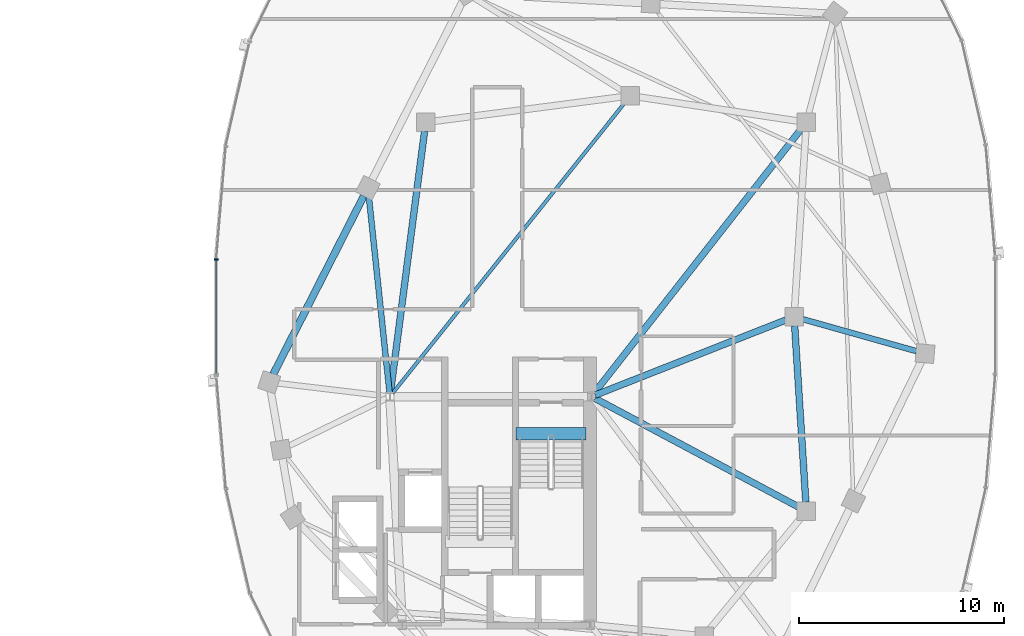
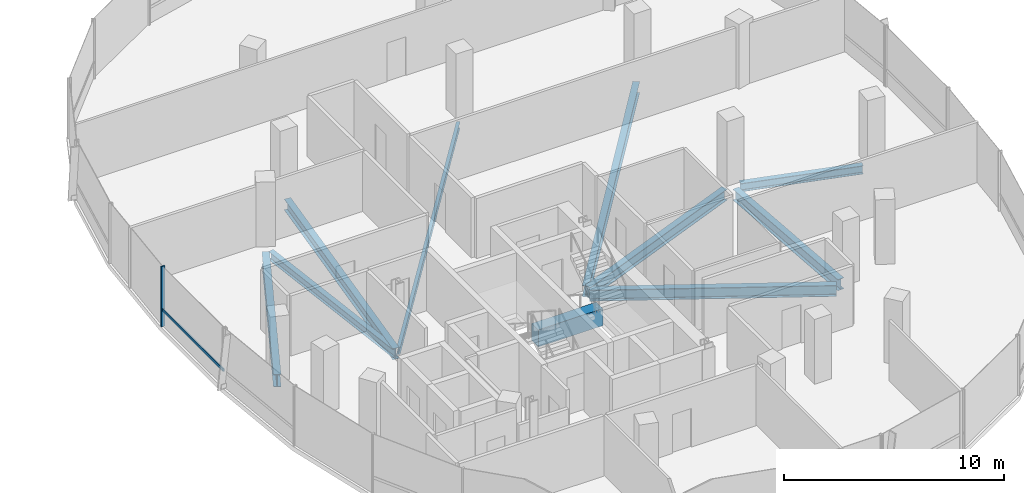
# One storey, part 9 of 25: 10 beams, 2 members, 1 element without a shape of its own.
"""IFC4 building model written with IfcOpenShell, lengths in metres."""

from ifc_helpers import new_model, si_unit, direction, frame, origin, origin_2d, place, context, subcontext, project, spatial, rectangle, i_section, extrude, material, material_profile, profile_set, type_object, element, aggregate, save


model = new_model("IFC4")

# Units and contexts
model_context = context("Model", 3, precision=1e-05, world=origin(), true_north=direction((0.0, 1.0)))
body_context = subcontext(model_context, "Body", "Model", "MODEL_VIEW")
ifc_project = project(units=[si_unit("LENGTHUNIT", "METRE"), si_unit("AREAUNIT", "SQUARE_METRE"), si_unit("VOLUMEUNIT", "CUBIC_METRE"), si_unit("PLANEANGLEUNIT", "RADIAN"), si_unit("MASSUNIT", "GRAM", prefix="KILO"), si_unit("THERMODYNAMICTEMPERATUREUNIT", "KELVIN"), si_unit("POWERUNIT", "WATT")], contexts=[model_context])

# Site, building, storey
site_placement = place(None, origin())
site = spatial("IfcSite", under=ifc_project, at=site_placement, CompositionType="ELEMENT")
building_placement = place(site_placement, origin())
building = spatial("IfcBuilding", under=site, at=building_placement, Name="Cundina Bronze Exchange", CompositionType="ELEMENT")
storey_placement = place(building_placement, frame((0.0, 0.0, 224.199951171875)))
storey = spatial("IfcBuildingStorey", under=building, at=storey_placement, Name="L59", CompositionType="ELEMENT", Elevation=224.199951171875)

# Beams
ifc_material_1 = material(Name="Concrete C60/75", Category="concrete")
ifc_material_profile_1 = material_profile(ifc_material_1, rectangle(XDim=0.60009765625, YDim=0.949951171875, at=origin_2d()), Name="RC600X950", Category="concrete")
ifc_profile_set_1 = profile_set([ifc_material_profile_1], Name="Concrete C60/75")
beam_type_1 = type_object("IfcBeamType", Name="BM-COUP-RC950", PredefinedType="LINTEL", material=ifc_profile_set_1)
beam_1_placement = place(storey_placement, frame((27.6201171875, -5.719970703125, -0.474853515625), z_axis=(1.0, 0.0, 0.0), x_axis=(0.0, 1.0, 0.0)))
element("IfcBeam", 1, at=beam_1_placement, inside=storey, type_object=beam_type_1, Name="L59 Stair E1 Landing Header Beam", PredefinedType="LINTEL", context=body_context, shape_type="SweptSolid", body=[
    extrude(rectangle(XDim=0.60009765625, YDim=0.949951171875, at=origin_2d()), origin(), (0.0, 0.0, 1.0), 3.39990234375),
])
ifc_material_2 = material(Name="Steel ASTM A992 Grade 50", Category="steel")
ifc_material_profile_2 = material_profile(ifc_material_2, i_section(OverallWidth=0.280029296875, OverallDepth=0.462890625, WebThickness=0.0107421875, FlangeThickness=0.017333984375, FilletRadius=0.011962890625, at=origin_2d()), Name="W18X76", Category="steel")
ifc_profile_set_2 = profile_set([ifc_material_profile_2], Name="Steel ASTM A992 Grade 50")
beam_type_2 = type_object("IfcBeamType", Name="BM-FLR-W18A", PredefinedType="BEAM", material=ifc_profile_set_2)
beam_2_placement = place(storey_placement, frame((41.62158203125, -0.11865234375, -0.491455078125), z_axis=(0.96265679604, -0.270724755127, 0.0), x_axis=(0.270724755127, 0.96265679604, 0.0)))
element("IfcBeam", 2, at=beam_2_placement, inside=storey, type_object=beam_type_2, Name="L59 Leg E Chordal Floor Beam 08", PredefinedType="BEAM", context=body_context, shape_type="SweptSolid", body=[
    extrude(i_section(OverallWidth=0.280029296875, OverallDepth=0.462890625, WebThickness=0.0107421875, FlangeThickness=0.017333984375, FilletRadius=0.011962890625, at=origin_2d()), origin(), (0.0, 0.0, 1.0), 5.7724609375),
])
beam_3_placement = place(storey_placement, frame((21.429443359375, -3.705078125, -0.491455078125), z_axis=(-0.104810251666, 0.994492237851, 0.0), x_axis=(-0.994492237851, -0.104810251666, 0.0)))
element("IfcBeam", 3, at=beam_3_placement, inside=storey, type_object=beam_type_2, Name="L59 Leg E Chordal Floor Beam 13", PredefinedType="BEAM", context=body_context, shape_type="SweptSolid", body=[
    extrude(i_section(OverallWidth=0.280029296875, OverallDepth=0.462890625, WebThickness=0.0107421875, FlangeThickness=0.017333984375, FilletRadius=0.011962890625, at=origin_2d()), origin(), (0.0, 0.0, 1.0), 9.62255859375),
])
ifc_material_profile_3 = material_profile(ifc_material_2, i_section(OverallWidth=0.172119140625, OverallDepth=0.35791015625, WebThickness=0.0078125, FlangeThickness=0.01318359375, FilletRadius=0.010009765625, at=origin_2d()), Name="W14X38", Category="steel")
ifc_profile_set_3 = profile_set([ifc_material_profile_3], Name="Steel ASTM A992 Grade 50")
beam_type_3 = type_object("IfcBeamType", Name="BM-JST-W14", PredefinedType="JOIST", material=ifc_profile_set_3)
beam_4_placement = place(storey_placement, frame((21.572509765625, -3.746826171875, -0.43896484375), z_axis=(0.624364266872, 0.781133319129, 0.0), x_axis=(-0.781133319129, 0.624364266872, 0.0)))
element("IfcBeam", 4, at=beam_4_placement, inside=storey, type_object=beam_type_3, Name="L59 E Interior Core-to-Ring Joist 2", PredefinedType="JOIST", context=body_context, shape_type="SweptSolid", body=[
    extrude(i_section(OverallWidth=0.172119140625, OverallDepth=0.35791015625, WebThickness=0.0078125, FlangeThickness=0.01318359375, FilletRadius=0.010009765625, at=origin_2d()), origin(), (0.0, 0.0, 1.0), 18.184814453125),
])
ifc_material_profile_4 = material_profile(ifc_material_2, i_section(OverallWidth=0.324951171875, OverallDepth=0.615966796875, WebThickness=0.013916015625, FlangeThickness=0.021484375, FilletRadius=0.01611328125, at=origin_2d()), Name="W24X117", Category="steel")
ifc_profile_set_4 = profile_set([ifc_material_profile_4], Name="Steel ASTM A992 Grade 50")
beam_type_4 = type_object("IfcBeamType", Name="BM-RING-W24", PredefinedType="USERDEFINED", material=ifc_profile_set_4)
beam_5_placement = place(storey_placement, frame((41.7724609375, -9.06298828125, -0.56787109375), z_axis=(-0.063046519736, 0.998010589297, 0.0), x_axis=(-0.998010589297, -0.063046519736, 0.0)))
element("IfcBeam", 5, at=beam_5_placement, inside=storey, type_object=beam_type_4, Name="L59 E Inner Structural Ring Girder 03", ObjectType="GIRDER", PredefinedType="USERDEFINED", context=body_context, shape_type="SweptSolid", body=[
    extrude(i_section(OverallWidth=0.324951171875, OverallDepth=0.615966796875, WebThickness=0.013916015625, FlangeThickness=0.021484375, FilletRadius=0.01611328125, at=origin_2d()), origin(), (0.0, 0.0, 1.0), 8.64306640625),
])
beam_6_placement = place(storey_placement, frame((23.143310546875, 9.065673828125, -0.56787109375), z_axis=(-0.129501251979, -0.991579258424, 0.0), x_axis=(0.991579258424, -0.129501251979, 0.0)))
element("IfcBeam", 6, at=beam_6_placement, inside=storey, type_object=beam_type_4, Name="L59 E Inner Structural Ring Girder 07", ObjectType="GIRDER", PredefinedType="USERDEFINED", context=body_context, shape_type="SweptSolid", body=[
    extrude(i_section(OverallWidth=0.324951171875, OverallDepth=0.615966796875, WebThickness=0.013916015625, FlangeThickness=0.021484375, FilletRadius=0.01611328125, at=origin_2d()), origin(), (0.0, 0.0, 1.0), 12.8798828125),
])
beam_7_placement = place(storey_placement, frame((31.482421875, -3.828125, -0.56787109375), z_axis=(0.930404106569, 0.366535398673, 0.0), x_axis=(-0.366535398673, 0.930404106569, 0.0)))
element("IfcBeam", 7, at=beam_7_placement, inside=storey, type_object=beam_type_4, Name="L59 E Core-to-Waist Tie Beam 1", ObjectType="GIRDER", PredefinedType="USERDEFINED", context=body_context, shape_type="SweptSolid", body=[
    extrude(i_section(OverallWidth=0.324951171875, OverallDepth=0.615966796875, WebThickness=0.013916015625, FlangeThickness=0.021484375, FilletRadius=0.01611328125, at=origin_2d()), origin(), (0.0, 0.0, 1.0), 10.00634765625),
])
beam_8_placement = place(storey_placement, frame((31.472900390625, -3.9921875, -0.56787109375), z_axis=(0.882350541683, -0.470592734317, 0.0), x_axis=(0.470592734317, 0.882350541683, 0.0)))
element("IfcBeam", 8, at=beam_8_placement, inside=storey, type_object=beam_type_4, Name="L59 E Core-to-Waist Tie Beam 2", ObjectType="GIRDER", PredefinedType="USERDEFINED", context=body_context, shape_type="SweptSolid", body=[
    extrude(i_section(OverallWidth=0.324951171875, OverallDepth=0.615966796875, WebThickness=0.013916015625, FlangeThickness=0.021484375, FilletRadius=0.01611328125, at=origin_2d()), origin(), (0.0, 0.0, 1.0), 11.26611328125),
])
beam_9_placement = place(storey_placement, frame((31.4208984375, -3.74560546875, -0.56787109375), z_axis=(0.616782900053, 0.787133314123, 0.0), x_axis=(-0.787133314123, 0.616782900053, 0.0)))
element("IfcBeam", 9, at=beam_9_placement, inside=storey, type_object=beam_type_4, Name="L59 E Core-to-Waist Tie Beam 3", ObjectType="GIRDER", PredefinedType="USERDEFINED", context=body_context, shape_type="SweptSolid", body=[
    extrude(i_section(OverallWidth=0.324951171875, OverallDepth=0.615966796875, WebThickness=0.013916015625, FlangeThickness=0.021484375, FilletRadius=0.01611328125, at=origin_2d()), origin(), (0.0, 0.0, 1.0), 16.3896484375),
])
ifc_material_profile_5 = material_profile(ifc_material_2, i_section(OverallWidth=0.35498046875, OverallDepth=0.695068359375, WebThickness=0.015380859375, FlangeThickness=0.02490234375, FilletRadius=0.01806640625, at=origin_2d()), Name="W27X146", Category="steel")
ifc_profile_set_5 = profile_set([ifc_material_profile_5], Name="Steel ASTM A992 Grade 50")
beam_type_5 = type_object("IfcBeamType", Name="BM-RING-W27", PredefinedType="USERDEFINED", material=ifc_profile_set_5)
beam_10_placement = place(storey_placement, frame((20.1767578125, 5.909423828125, -0.607421875), z_axis=(-0.452846871434, -0.891588308039, 0.0), x_axis=(0.891588308039, -0.452846871434, 0.0)))
element("IfcBeam", 10, at=beam_10_placement, inside=storey, type_object=beam_type_5, Name="L59 E Perimeter Ring Girder 13", ObjectType="GIRDER", PredefinedType="USERDEFINED", context=body_context, shape_type="SweptSolid", body=[
    extrude(i_section(OverallWidth=0.35498046875, OverallDepth=0.695068359375, WebThickness=0.015380859375, FlangeThickness=0.02490234375, FilletRadius=0.01806640625, at=origin_2d()), origin(), (0.0, 0.0, 1.0), 9.779052734375),
])

# Curtain wall, members
ifc_material_3 = material(Name="Anodised Bronze Aluminium 6063-T6", Category="aluminium")
curtain_wall_type = type_object("IfcCurtainWallType", Name="CWS-UPP-OFF", PredefinedType="NOTDEFINED", material=ifc_material_3)
curtain_wall_placement = place(storey_placement, origin())
curtain_wall = element("IfcCurtainWall", 11, at=curtain_wall_placement, inside=storey, type_object=curtain_wall_type, Name="L59 CW-05 Curtain Wall Run CWR-L59-E2", PredefinedType="NOTDEFINED")
ifc_material_profile_6 = material_profile(ifc_material_3, rectangle(XDim=0.070068359375, YDim=0.18994140625, at=origin_2d()), Name="AL70X190", Category="aluminium")
ifc_profile_set_6 = profile_set([ifc_material_profile_6], Name="Anodised Bronze Aluminium 6063-T6")
member_type_1 = type_object("IfcMemberType", Name="CWM-MUL-190", PredefinedType="MULLION", material=ifc_profile_set_6)
member_1_placement = place(storey_placement, frame((12.966064453125, 2.794921875, 0.0), z_axis=(0.0, 0.0, 1.0), x_axis=(0.0, -1.0, 0.0)))
member_1 = element("IfcMember", 12, at=member_1_placement, type_object=member_type_1, Name="CW-05 Mullion 7", PredefinedType="MULLION", context=body_context, shape_type="SweptSolid", body=[
    extrude(rectangle(XDim=0.070068359375, YDim=0.18994140625, at=origin_2d()), origin(), (0.0, 0.0, 1.0), 3.340087890625),
])
ifc_material_profile_7 = material_profile(ifc_material_3, rectangle(XDim=0.06494140625, YDim=0.14990234375, at=origin_2d()), Name="AL65X150", Category="aluminium")
ifc_profile_set_7 = profile_set([ifc_material_profile_7], Name="Anodised Bronze Aluminium 6063-T6")
member_type_2 = type_object("IfcMemberType", Name="CWM-TRN-150", PredefinedType="USERDEFINED", material=ifc_profile_set_7)
member_2_placement = place(storey_placement, frame((12.966064453125, 2.756591796875, 0.920166015625), z_axis=(0.0, -1.0, 0.0), x_axis=(1.0, 0.0, 0.0)))
member_2 = element("IfcMember", 13, at=member_2_placement, type_object=member_type_2, Name="CW-05 Spandrel Transom 7", ObjectType="TRANSOM", PredefinedType="USERDEFINED", context=body_context, shape_type="SweptSolid", body=[
    extrude(rectangle(XDim=0.06494140625, YDim=0.14990234375, at=origin_2d()), origin(), (0.0, 0.0, 1.0), 5.51318359375),
])
aggregate(curtain_wall, [member_1, member_2])

save(model, "model.ifc")
